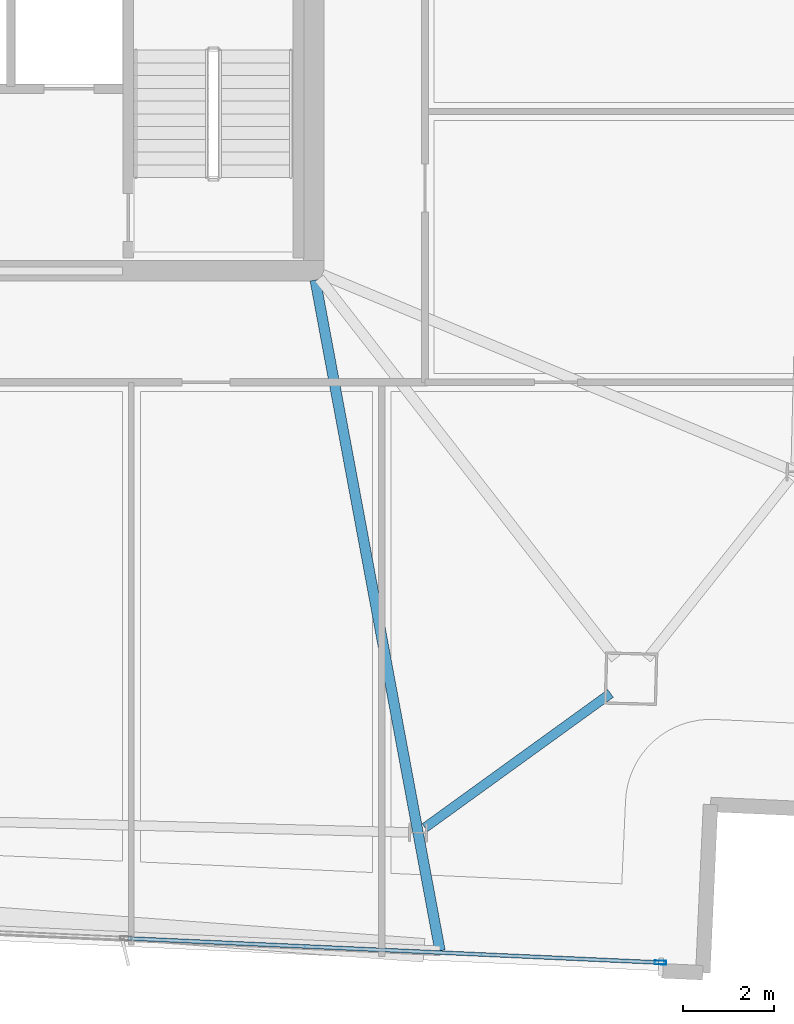
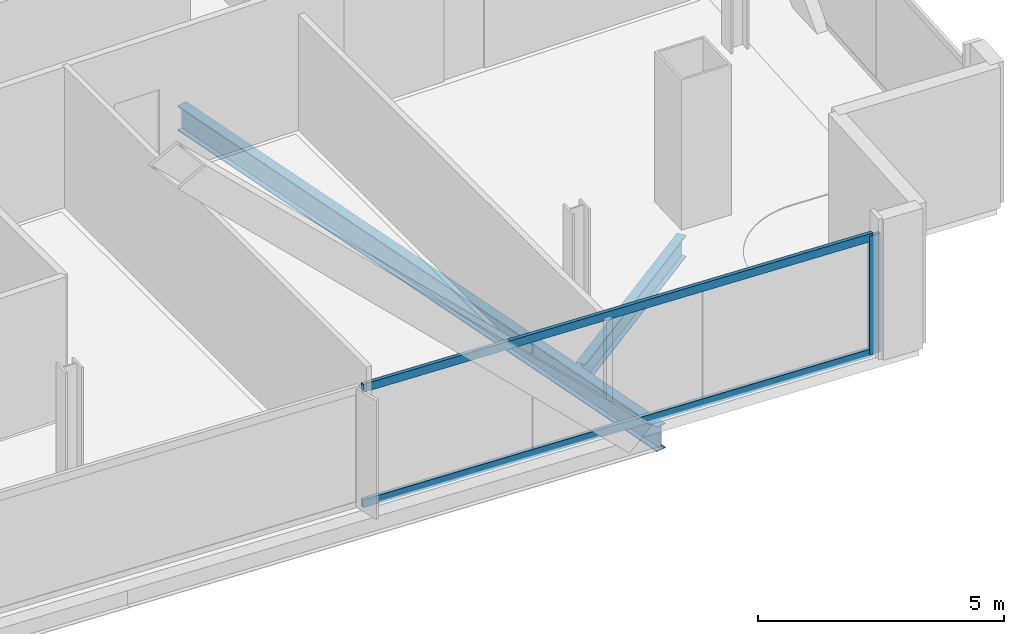
# One storey, part 8 of 26: 3 members, 2 beams, 1 element without a shape of its own.
"""IFC4 building model written with IfcOpenShell, lengths in metres."""

from ifc_helpers import new_model, si_unit, direction, frame, origin, origin_2d, place, context, subcontext, project, spatial, hollow_rectangle, i_section, extrude, material, material_profile, profile_set, type_object, element, aggregate, save


model = new_model("IFC4")

# Units and contexts
model_context = context("Model", 3, precision=1e-05, world=origin(), true_north=direction((0.0, 1.0)))
body_context = subcontext(model_context, "Body", "Model", "MODEL_VIEW")
ifc_project = project(units=[si_unit("LENGTHUNIT", "METRE"), si_unit("AREAUNIT", "SQUARE_METRE"), si_unit("VOLUMEUNIT", "CUBIC_METRE"), si_unit("PLANEANGLEUNIT", "RADIAN"), si_unit("MASSUNIT", "GRAM", prefix="KILO")], contexts=[model_context])

# Site, building, storey
site_placement = place(None, origin())
site = spatial("IfcSite", under=ifc_project, at=site_placement, CompositionType="ELEMENT")
building_placement = place(site_placement, origin())
building = spatial("IfcBuilding", under=site, at=building_placement, Name="Haldenkirk Collegiate Tower", CompositionType="ELEMENT")
storey_placement = place(building_placement, frame((0.0, 0.0, 321.449951171875)))
storey = spatial("IfcBuildingStorey", under=building, at=storey_placement, Name="L81", CompositionType="ELEMENT", Elevation=321.449951171875)

# Beams
ifc_material_1 = material(Name="Steel ASTM A992 Grade 50", Category="steel")
ifc_material_profile_1 = material_profile(ifc_material_1, i_section(OverallWidth=0.22998046875, OverallDepth=0.616943359375, WebThickness=0.01318359375, FlangeThickness=0.022216796875, at=origin_2d()), Name="W24X94")
ifc_profile_set_1 = profile_set([ifc_material_profile_1], Name="Steel ASTM A992 Grade 50")
beam_type_1 = type_object("IfcBeamType", Name="BM-GIRDER-W24X94", PredefinedType="BEAM", material=ifc_profile_set_1)
beam_1_placement = place(storey_placement, frame((47.77978515625, 3.06201171875, -0.568359375), z_axis=(-0.182940133304, 0.983124055054, 0.0), x_axis=(-0.983124055054, -0.182940133304, 0.0)))
element("IfcBeam", 1, at=beam_1_placement, inside=storey, type_object=beam_type_1, Name="L81 primary floor girder 16", PredefinedType="BEAM", context=body_context, shape_type="SweptSolid", body=[
    extrude(i_section(OverallWidth=0.22998046875, OverallDepth=0.616943359375, WebThickness=0.01318359375, FlangeThickness=0.022216796875, at=origin_2d()), origin(), (0.0, 0.0, 1.0), 14.989501953125),
])
ifc_material_profile_2 = material_profile(ifc_material_1, i_section(OverallWidth=0.2099609375, OverallDepth=0.537109375, WebThickness=0.010986328125, FlangeThickness=0.017333984375, at=origin_2d()), Name="W21X68")
ifc_profile_set_2 = profile_set([ifc_material_profile_2], Name="Steel ASTM A992 Grade 50")
beam_type_2 = type_object("IfcBeamType", Name="BM-SPANDREL-W21X68", PredefinedType="SPANDREL", material=ifc_profile_set_2)
beam_2_placement = place(storey_placement, frame((47.44921875, 5.767578125, -0.528564453125), z_axis=(0.810388642646, 0.585892693136, 0.0), x_axis=(-0.585892693136, 0.810388642646, 0.0)))
element("IfcBeam", 2, at=beam_2_placement, inside=storey, type_object=beam_type_2, Name="L81 perimeter spandrel beam 16", PredefinedType="SPANDREL", context=body_context, shape_type="SweptSolid", body=[
    extrude(i_section(OverallWidth=0.2099609375, OverallDepth=0.537109375, WebThickness=0.010986328125, FlangeThickness=0.017333984375, at=origin_2d()), origin(), (0.0, 0.0, 1.0), 5.03076171875),
])

# Curtain wall, members
ifc_material_2 = material(Name="Anodised architectural bronze aluminium", Category="aluminium")
curtain_wall_type = type_object("IfcCurtainWallType", Name="CW-SYS1B-CONVEX-HI", PredefinedType="USERDEFINED", material=ifc_material_2)
curtain_wall_placement = place(storey_placement, origin())
curtain_wall = element("IfcCurtainWall", 3, at=curtain_wall_placement, inside=storey, type_object=curtain_wall_type, Name="L81 Upper tower high-wind convex bronze unitised curtain wall", ObjectType="UNITISED CURTAIN WALL", PredefinedType="USERDEFINED")
ifc_material_profile_3 = material_profile(ifc_material_2, hollow_rectangle(XDim=0.0849609375, YDim=0.25, WallThickness=0.0048828125, at=origin_2d()), Name="CW-MUL-1B")
ifc_profile_set_3 = profile_set([ifc_material_profile_3], Name="Anodised architectural bronze aluminium")
member_type_1 = type_object("IfcMemberType", Name="CW-MUL-1B", PredefinedType="MULLION", material=ifc_profile_set_3)
member_1_placement = place(storey_placement, frame((52.622314453125, 2.802001953125, 0.0), z_axis=(0.0, 0.0, 1.0), x_axis=(-0.045364478326, -0.99897050212, 0.0)))
member_1 = element("IfcMember", 4, at=member_1_placement, type_object=member_type_1, Name="CW-1B mullion 1", PredefinedType="MULLION", context=body_context, shape_type="SweptSolid", body=[
    extrude(hollow_rectangle(XDim=0.0849609375, YDim=0.25, WallThickness=0.0048828125, at=origin_2d()), origin(), (0.0, 0.0, 1.0), 2.947998046875),
])
ifc_material_profile_4 = material_profile(ifc_material_2, hollow_rectangle(XDim=0.0849609375, YDim=0.199951171875, WallThickness=0.0048828125, at=origin_2d()), Name="CW-TRN-1B")
ifc_profile_set_4 = profile_set([ifc_material_profile_4], Name="Anodised architectural bronze aluminium")
member_type_2 = type_object("IfcMemberType", Name="CW-TRN-1B", PredefinedType="USERDEFINED", material=ifc_profile_set_4)
member_2_placement = place(storey_placement, frame((52.579833984375, 2.803955078125, 0.04248046875), z_axis=(-0.998970393788, 0.045366863846, 0.0), x_axis=(-0.045366863846, -0.998970393788, 0.0)))
member_2 = element("IfcMember", 5, at=member_2_placement, type_object=member_type_2, Name="CW-1B transom 1.1", ObjectType="TRANSOM", PredefinedType="USERDEFINED", context=body_context, shape_type="SweptSolid", body=[
    extrude(hollow_rectangle(XDim=0.0849609375, YDim=0.199951171875, WallThickness=0.0048828125, at=origin_2d()), origin(), (0.0, 0.0, 1.0), 11.67236328125),
])
member_3_placement = place(storey_placement, frame((52.579833984375, 2.803955078125, 2.905517578125), z_axis=(-0.998970393788, 0.045366863846, 0.0), x_axis=(-0.045366863846, -0.998970393788, 0.0)))
member_3 = element("IfcMember", 6, at=member_3_placement, type_object=member_type_2, Name="CW-1B transom 1.2", ObjectType="TRANSOM", PredefinedType="USERDEFINED", context=body_context, shape_type="SweptSolid", body=[
    extrude(hollow_rectangle(XDim=0.0849609375, YDim=0.199951171875, WallThickness=0.0048828125, at=origin_2d()), origin(), (0.0, 0.0, 1.0), 11.67236328125),
])
aggregate(curtain_wall, [member_1, member_2, member_3])

save(model, "model.ifc")
